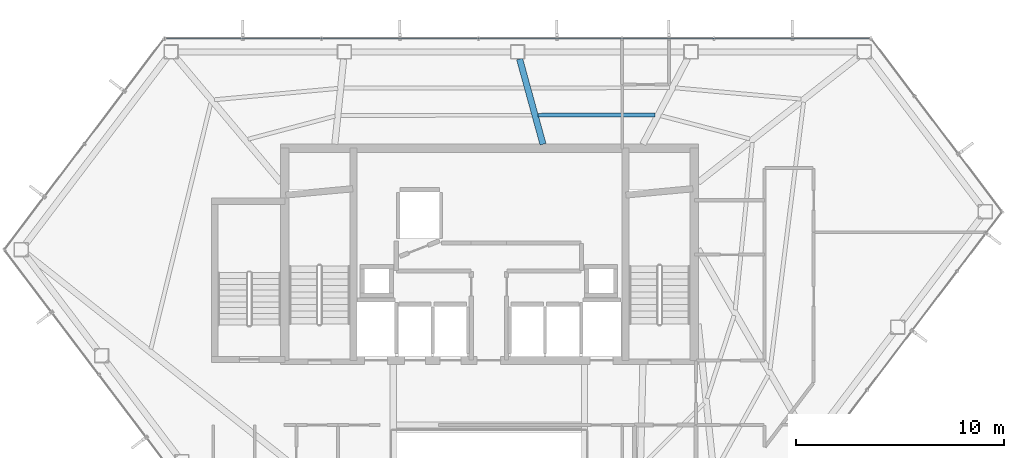
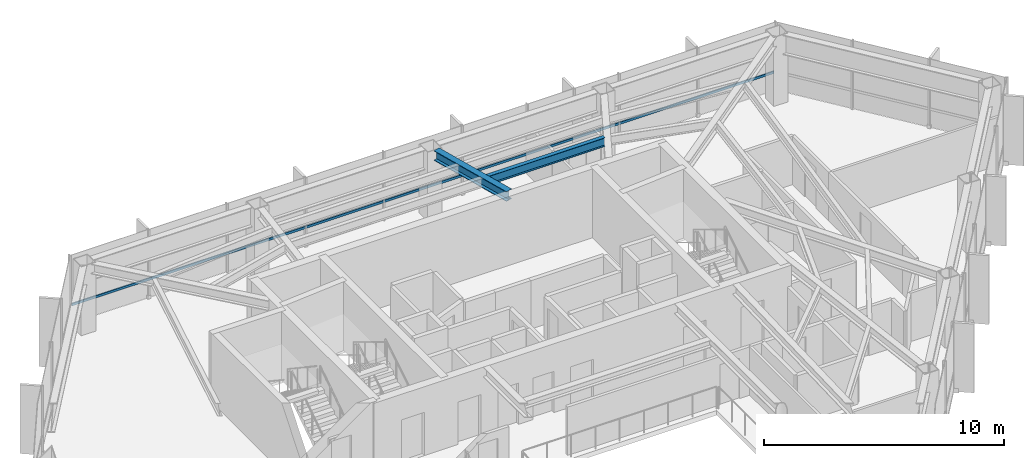
# One storey, part 14 of 27: 2 beams, 1 member, 1 element without a shape of its own.
"""IFC4 building model written with IfcOpenShell, lengths in metres."""

import ifcopenshell
import ifcopenshell.guid

model = None  # the IFC model being written
_history = None  # IfcOwnerHistory: only IFC2X3 demands one
_inside = {}  # id of a spatial element -> (the spatial element, [elements in it])
_under = {}  # id of a project, library or spatial element -> (it, [spatial elements below it])
_declared = {}  # id of a project -> (the project, [libraries it declares])
_typed = {}  # id of a type object -> (the type object, [elements of that type])
_made_of = {}  # id of a material, layer set ... -> (it, [elements and type objects made of it])


def new_model(schema):
    """Start an empty IFC model of exactly this schema.

    Asked for "IFC4X3", IfcOpenShell would pick the latest addendum, in which some entities
    have other attributes; the version numbers below select the first issue.
    IFC2X3 requires an IfcOwnerHistory on every rooted entity: one is made here for all.
    """
    global model, _history
    if schema == "IFC4X3":
        model = ifcopenshell.file(schema_version=(4, 3, 0, 0))
    else:
        model = ifcopenshell.file(schema=schema)
    _inside.clear()
    _under.clear()
    _declared.clear()
    _typed.clear()
    _made_of.clear()
    _history = None
    if model.schema == "IFC2X3":
        org = make("IfcOrganization", Name="unknown")
        user = make(
            "IfcPersonAndOrganization",
            ThePerson=make("IfcPerson", FamilyName="unknown"),
            TheOrganization=org,
        )
        app = make(
            "IfcApplication",
            ApplicationDeveloper=org,
            Version="unknown",
            ApplicationFullName="unknown",
            ApplicationIdentifier="unknown",
        )
        _history = make(
            "IfcOwnerHistory",
            OwningUser=user,
            OwningApplication=app,
            ChangeAction="ADDED",
            CreationDate=0,
        )
    return model


def make(cls, **values):
    """One entity of the class cls with the attributes given. An attribute that is None is left unset."""
    return model.create_entity(
        cls, **{name: value for name, value in values.items() if value is not None}
    )


def rooted(cls, **values):
    """An entity with a GlobalId (a new one), such as an element, a storey or a relation."""
    return make(cls, GlobalId=ifcopenshell.guid.new(), OwnerHistory=_history, **values)


def si_unit(unit_type, name, prefix=None):
    """IfcSIUnit, for example si_unit("LENGTHUNIT", "METRE", prefix="MILLI")."""
    return make("IfcSIUnit", UnitType=unit_type, Prefix=prefix, Name=name)


def assignment(units):
    """IfcUnitAssignment: the units of a project."""
    return None if units is None else make("IfcUnitAssignment", Units=units)


def point(xyz):
    """IfcCartesianPoint."""
    return None if xyz is None else make("IfcCartesianPoint", Coordinates=xyz)


def direction(xyz):
    """IfcDirection."""
    return None if xyz is None else make("IfcDirection", DirectionRatios=xyz)


def frame(location, z_axis=None, x_axis=None):
    """IfcAxis2Placement3D, a coordinate frame: its origin and axes. An axis left out is left unset."""
    return make(
        "IfcAxis2Placement3D",
        Location=point(location),
        Axis=direction(z_axis),
        RefDirection=direction(x_axis),
    )


def frame_2d(location, x_axis=None):
    """IfcAxis2Placement2D, a coordinate frame in the plane: its origin and x axis."""
    return make(
        "IfcAxis2Placement2D", Location=point(location), RefDirection=direction(x_axis)
    )


def origin():
    """The frame at (0, 0, 0) with its axes left unset."""
    return frame((0.0, 0.0, 0.0))


def origin_2d():
    """The frame at (0, 0) in the plane with its x axis left unset."""
    return frame_2d((0.0, 0.0))


def place(relative_to, where):
    """IfcLocalPlacement: puts the frame where relative to a parent placement (None: the world)."""
    return make(
        "IfcLocalPlacement", PlacementRelTo=relative_to, RelativePlacement=where
    )


def context(
    kind, dimensions, precision=None, world=None, true_north=None, identifier=None
):
    """IfcGeometricRepresentationContext, for example the 3D "Model" context."""
    return make(
        "IfcGeometricRepresentationContext",
        ContextIdentifier=identifier,
        ContextType=kind,
        CoordinateSpaceDimension=dimensions,
        Precision=precision,
        WorldCoordinateSystem=world,
        TrueNorth=true_north,
    )


def subcontext(parent, identifier, kind, view, scale=None):
    """IfcGeometricRepresentationSubContext, for example "Body" below "Model"."""
    return make(
        "IfcGeometricRepresentationSubContext",
        ContextIdentifier=identifier,
        ContextType=kind,
        ParentContext=parent,
        TargetScale=scale,
        TargetView=view,
    )


def project(units=None, contexts=None):
    """IfcProject with its units and contexts."""
    return rooted(
        "IfcProject",
        Name="project",
        RepresentationContexts=contexts,
        UnitsInContext=assignment(units),
    )


def spatial(cls, under=None, at=None, **own):
    """A site, building, storey or space (cls), placed at a placement, below another one or the project."""
    s = rooted(cls, ObjectPlacement=at, **own)
    if under is not None:
        _under.setdefault(under.id(), (under, []))[1].append(s)
    return s


def profile(cls, at=None, kind="AREA", **sizes):
    """A parametric profile (cls). Its sizes go by their IFC names, for example OverallWidth=200.0."""
    return make(cls, ProfileType=kind, Position=at, **sizes)


def hollow_rectangle(**sizes):
    """IfcRectangleHollowProfileDef."""
    return profile("IfcRectangleHollowProfileDef", **sizes)


def i_section(**sizes):
    """IfcIShapeProfileDef."""
    return profile("IfcIShapeProfileDef", **sizes)


def extrude(swept, where, along, depth):
    """IfcExtrudedAreaSolid: the profile swept, set in the frame where, extruded along a direction by depth."""
    return make(
        "IfcExtrudedAreaSolid",
        SweptArea=swept,
        Position=where,
        ExtrudedDirection=direction(along),
        Depth=depth,
    )


def shape(context_of_items, identifier, shape_type, items):
    """IfcShapeRepresentation: the items that make up one representation, for example the "Body"."""
    return make(
        "IfcShapeRepresentation",
        ContextOfItems=context_of_items,
        RepresentationIdentifier=identifier,
        RepresentationType=shape_type,
        Items=items,
    )


def material(Name=None, Category=None):
    """IfcMaterial."""
    return make("IfcMaterial", Name=Name, Category=Category)


def layer(
    of_material, thickness, ventilated=None, Name=None, Category=None, Priority=None
):
    """IfcMaterialLayer: one layer of a wall or slab, of a material (None: an air gap)."""
    return make(
        "IfcMaterialLayer",
        Material=of_material,
        LayerThickness=thickness,
        IsVentilated=ventilated,
        Name=Name,
        Category=Category,
        Priority=Priority,
    )


def layer_set(layers, Name=None):
    """IfcMaterialLayerSet."""
    return make("IfcMaterialLayerSet", MaterialLayers=layers, LayerSetName=Name)


def material_profile(
    of_material, cross_section, Name=None, Category=None, Priority=None
):
    """IfcMaterialProfile: a cross section and its material."""
    return make(
        "IfcMaterialProfile",
        Name=Name,
        Material=of_material,
        Profile=cross_section,
        Priority=Priority,
        Category=Category,
    )


def profile_set(profiles, Name=None, composite=None):
    """IfcMaterialProfileSet."""
    return make(
        "IfcMaterialProfileSet",
        Name=Name,
        MaterialProfiles=profiles,
        CompositeProfile=composite,
    )


def made_of(thing, what):
    """Note that an element or type object is made of a material, layer set ...; save() writes the relation."""
    if what is not None:
        _made_of.setdefault(what.id(), (what, []))[1].append(thing)
    return thing


def type_object(cls, material=None, **own):
    """A type object (cls), such as IfcWallType, which elements share."""
    return made_of(rooted(cls, **own), material)


def element(
    cls,
    number,
    at=None,
    inside=None,
    cuts=None,
    type_object=None,
    material=None,
    context=None,
    identifier="Body",
    shape_type=None,
    held_by="IfcProductDefinitionShape",
    body=None,
    shapes=None,
    **own,
):
    """One element of the class cls, such as IfcWall. Its Tag is "e" and its number.

    at: its placement. inside: the storey or other place that contains it. cuts: it is an
    opening in that element (IfcRelVoidsElement). A single representation is given by context,
    identifier, shape_type and body (its items); several are given by shapes. held_by: the class
    of the entity that holds the representations. save() writes the other relations.
    """
    e = rooted(cls, Tag="e%d" % number, ObjectPlacement=at, **own)
    if body is not None:
        shapes = [shape(context, identifier, shape_type, body)]
    if shapes is not None:
        e.Representation = make(held_by, Representations=shapes)
    if inside is not None:
        _inside.setdefault(inside.id(), (inside, []))[1].append(e)
    if cuts is not None:
        rooted(
            "IfcRelVoidsElement", RelatingBuildingElement=cuts, RelatedOpeningElement=e
        )
    if type_object is not None:
        _typed.setdefault(type_object.id(), (type_object, []))[1].append(e)
    return made_of(e, material)


def aggregate(whole, parts):
    """IfcRelAggregates: a whole, such as a stair, and the parts it consists of."""
    return rooted("IfcRelAggregates", RelatingObject=whole, RelatedObjects=parts)


def save(model, path):
    """Write the relations noted so far, then the file.

    IfcRelAggregates (storeys below a building ...), IfcRelContainedInSpatialStructure (elements
    in a storey), IfcRelDefinesByType, IfcRelAssociatesMaterial and IfcRelDeclares: one each for
    every whole, place, type object, material and project.
    """
    for whole, parts in _under.values():
        aggregate(whole, parts)
    for where, things in _inside.values():
        rooted(
            "IfcRelContainedInSpatialStructure",
            RelatedElements=things,
            RelatingStructure=where,
        )
    for kind, things in _typed.values():
        rooted("IfcRelDefinesByType", RelatedObjects=things, RelatingType=kind)
    for what, things in _made_of.values():
        rooted("IfcRelAssociatesMaterial", RelatedObjects=things, RelatingMaterial=what)
    for by, libraries in _declared.values():
        rooted("IfcRelDeclares", RelatingContext=by, RelatedDefinitions=libraries)
    model.write(path)


model = new_model("IFC4")

# Units and contexts
model_context = context("Model", 3, precision=1e-05, world=origin(), true_north=direction((0.0, 1.0)))
body_context = subcontext(model_context, "Body", "Model", "MODEL_VIEW")
ifc_project = project(units=[si_unit("LENGTHUNIT", "METRE"), si_unit("AREAUNIT", "SQUARE_METRE"), si_unit("VOLUMEUNIT", "CUBIC_METRE"), si_unit("PLANEANGLEUNIT", "RADIAN"), si_unit("MASSUNIT", "GRAM", prefix="KILO")], contexts=[model_context])

# Site, building, storey
site_placement = place(None, origin())
site = spatial("IfcSite", under=ifc_project, at=site_placement, CompositionType="ELEMENT")
building_placement = place(site_placement, origin())
building = spatial("IfcBuilding", under=site, at=building_placement, Name="Zarrinselat Tower", CompositionType="ELEMENT")
storey_placement = place(building_placement, frame((0.0, 0.0, 175.780029296875)))
storey = spatial("IfcBuildingStorey", under=building, at=storey_placement, Name="L43", CompositionType="ELEMENT", Elevation=175.780029296875)

# Beams
ifc_material_1 = material(Name="Steel S355J2", Category="steel")
ifc_material_profile_1 = material_profile(ifc_material_1, i_section(OverallWidth=0.300048828125, OverallDepth=0.5, WebThickness=0.014404296875, FlangeThickness=0.028076171875, at=origin_2d()), Name="HEB 500")
ifc_profile_set_1 = profile_set([ifc_material_profile_1], Name="Steel S355J2")
beam_type_1 = type_object("IfcBeamType", Name="BM-HEB500", PredefinedType="BEAM", material=ifc_profile_set_1)
beam_1_placement = place(storey_placement, frame((39.87744140625, 47.732666015625, 3.25), z_axis=(0.264509285991, -0.964383138397, 0.0), x_axis=(0.964383138397, 0.264509285991, 0.0)))
element("IfcBeam", 1, at=beam_1_placement, inside=storey, type_object=beam_type_1, Name="L43 Radial Primary Girder RG03", PredefinedType="BEAM", context=body_context, shape_type="SweptSolid", body=[
    extrude(i_section(OverallWidth=0.300048828125, OverallDepth=0.5, WebThickness=0.014404296875, FlangeThickness=0.028076171875, at=origin_2d()), origin(), (0.0, 0.0, 1.0), 4.243896484375),
])
ifc_material_2 = material(Name="Steel S355J2", Category="steel")
ifc_material_profile_2 = material_profile(ifc_material_2, i_section(OverallWidth=0.18994140625, OverallDepth=0.449951171875, WebThickness=0.009521484375, FlangeThickness=0.0146484375, at=origin_2d()), Name="IPE 450")
ifc_profile_set_2 = profile_set([ifc_material_profile_2], Name="Steel S355J2")
beam_type_2 = type_object("IfcBeamType", Name="BM-IPE450", PredefinedType="JOIST", material=ifc_profile_set_2)
beam_2_placement = place(storey_placement, frame((40.75830078125, 45.03173828125, 3.27490234375), z_axis=(0.999998782261, 0.001560601533, 0.0), x_axis=(-0.001560601533, 0.999998782261, 0.0)))
element("IfcBeam", 2, at=beam_2_placement, inside=storey, type_object=beam_type_2, Name="L43 Composite Floor Joist 7-2", PredefinedType="JOIST", context=body_context, shape_type="SweptSolid", body=[
    extrude(i_section(OverallWidth=0.18994140625, OverallDepth=0.449951171875, WebThickness=0.009521484375, FlangeThickness=0.0146484375, at=origin_2d()), origin(), (0.0, 0.0, 1.0), 5.6318359375),
])

# Curtain wall, member
ifc_material_3 = material(Name="Extruded Aluminium Alloy EN AW-6063 T6", Category="aluminium")
ifc_layer = layer(ifc_material_3, 0.175048828125)
ifc_layer_set = layer_set([ifc_layer], Name="Extruded Aluminium Alloy EN AW-6063 T6")
curtain_wall_type = type_object("IfcCurtainWallType", Name="CWS-HTL", PredefinedType="NOTDEFINED", material=ifc_layer_set)
curtain_wall_placement = place(storey_placement, origin())
curtain_wall = element("IfcCurtainWall", 3, at=curtain_wall_placement, inside=storey, type_object=curtain_wall_type, Name="L43 Unitised Curtain Wall CW-L43-E01", PredefinedType="NOTDEFINED")
ifc_material_4 = material(Name="Extruded Aluminium Alloy EN AW-6063 T6", Category="aluminium")
ifc_material_profile_3 = material_profile(ifc_material_4, hollow_rectangle(XDim=0.06005859375, YDim=0.1201171875, WallThickness=0.00390625, at=origin_2d()), Name="RHS 120x60x4")
ifc_profile_set_3 = profile_set([ifc_material_profile_3], Name="Extruded Aluminium Alloy EN AW-6063 T6")
member_type = type_object("IfcMemberType", Name="MEM-CW-TRN2", PredefinedType="USERDEFINED", material=ifc_profile_set_3)
member_placement = place(storey_placement, frame((56.668701171875, 48.72216796875, 0.949951171875), z_axis=(-1.0, 0.0, 0.0), x_axis=(0.0, -1.0, 0.0)))
member = element("IfcMember", 4, at=member_placement, type_object=member_type, Name="CW-L43-E01 Transom 1", ObjectType="TRANSOM", PredefinedType="USERDEFINED", context=body_context, shape_type="SweptSolid", body=[
    extrude(hollow_rectangle(XDim=0.06005859375, YDim=0.1201171875, WallThickness=0.00390625, at=origin_2d()), origin(), (0.0, 0.0, 1.0), 33.768798828125),
])
aggregate(curtain_wall, [member])

save(model, "model.ifc")
